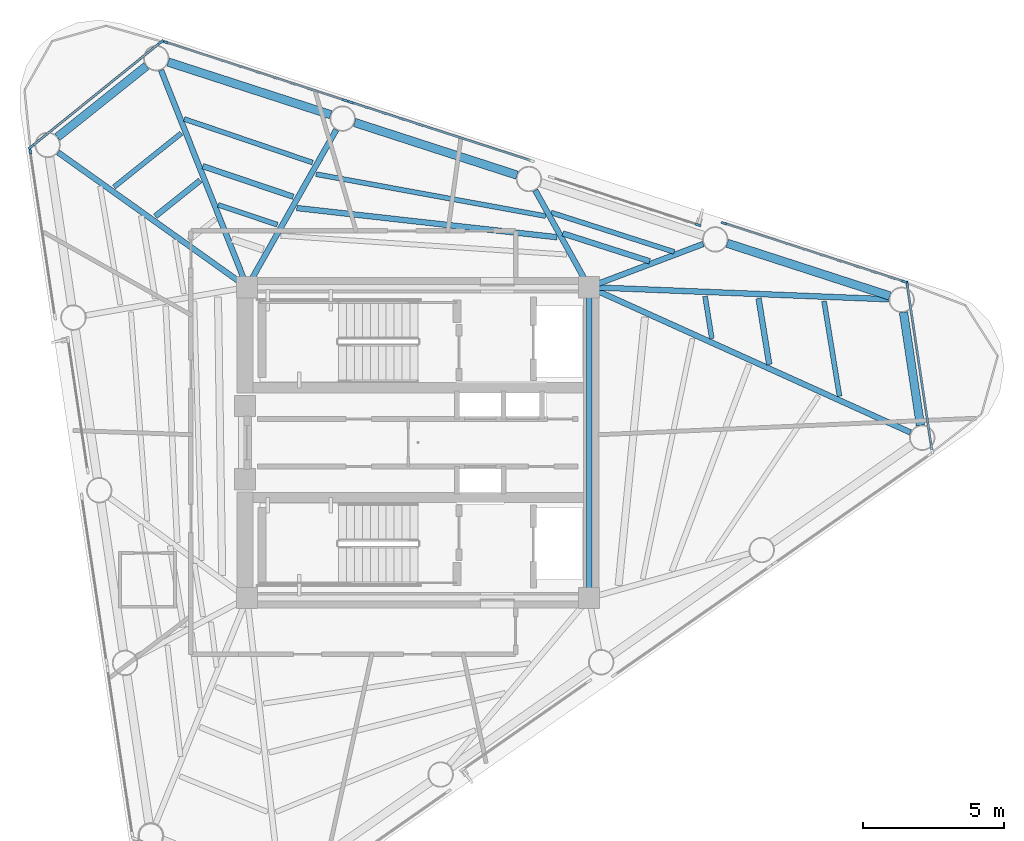
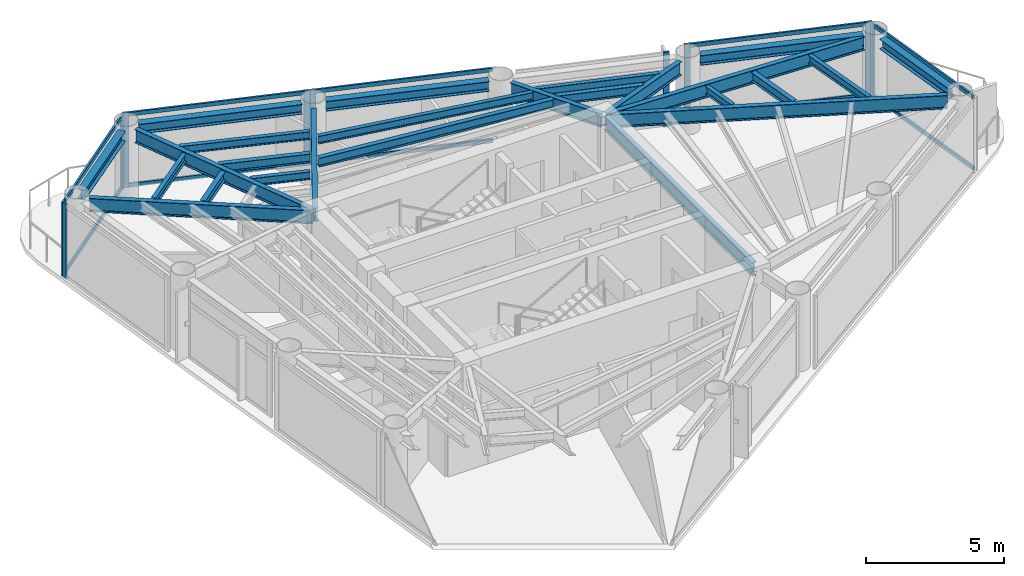
# One storey, part 3 of 9: 25 beams, 20 members, 7 elements without a shape of their own.
"""IFC4 building model written with IfcOpenShell, lengths in metres."""

from ifc_helpers import new_model, si_unit, direction, frame, origin, origin_2d, place, context, subcontext, project, spatial, rectangle, i_section, extrude, source, transform, mapped, material, layer, layer_set, material_profile, profile_set, type_object, element, aggregate, save


model = new_model("IFC4")

# Units and contexts
model_context = context("Model", 3, precision=1e-05, world=origin(), true_north=direction((0.0, 1.0)))
body_context = subcontext(model_context, "Body", "Model", "MODEL_VIEW")
ifc_project = project(units=[si_unit("LENGTHUNIT", "METRE"), si_unit("AREAUNIT", "SQUARE_METRE"), si_unit("VOLUMEUNIT", "CUBIC_METRE"), si_unit("PLANEANGLEUNIT", "RADIAN"), si_unit("MASSUNIT", "GRAM", prefix="KILO")], contexts=[model_context])

# Site, building, storey
site_placement = place(None, origin())
site = spatial("IfcSite", under=ifc_project, at=site_placement, CompositionType="ELEMENT")
building_placement = place(site_placement, origin())
building = spatial("IfcBuilding", under=site, at=building_placement, Name="Yunling Apex Tower", CompositionType="ELEMENT")
storey_placement = place(building_placement, frame((0.0, 0.0, 264.35009765625)))
storey = spatial("IfcBuildingStorey", under=building, at=storey_placement, Name="L64", CompositionType="ELEMENT", Elevation=264.35009765625)

# Beams
ifc_material_1 = material(Name="Steel Q355B", Category="steel")
ifc_material_profile_1 = material_profile(ifc_material_1, i_section(OverallWidth=0.199951171875, OverallDepth=0.60009765625, WebThickness=0.010986328125, FlangeThickness=0.01708984375, FilletRadius=0.02197265625, at=origin_2d()))
ifc_profile_set_1 = profile_set([ifc_material_profile_1], Name="Steel Q355B")
beam_type_1 = type_object("IfcBeamType", Name="BG-PRI-5", PredefinedType="USERDEFINED", material=ifc_profile_set_1)
shared_shape_1 = source(origin(), body_context, "Body", "SweptSolid", [
    extrude(i_section(OverallWidth=0.199951171875, OverallDepth=0.60009765625, WebThickness=0.010986328125, FlangeThickness=0.01708984375, FilletRadius=0.02197265625, at=origin_2d()), origin(), (0.0, 0.0, 1.0), 10.7001953125),
])
beam_1_placement = place(storey_placement, frame((6.050048828125, -5.35009765625, 2.919921875), z_axis=(0.0, 1.0, 0.0), x_axis=(-1.0, 0.0, 0.0)))
element("IfcBeam", 1, at=beam_1_placement, inside=storey, type_object=beam_type_1, Name="L64 Core Ring Tie Beam 2", ObjectType="GIRDER", PredefinedType="USERDEFINED", context=body_context, shape_type="MappedRepresentation", body=[
    mapped(shared_shape_1, transform((0.0, 0.0, 0.0), scale=1.0)),
])
ifc_material_profile_2 = material_profile(ifc_material_1, i_section(OverallWidth=0.300048828125, OverallDepth=0.43994140625, WebThickness=0.010986328125, FlangeThickness=0.01806640625, FilletRadius=0.02197265625, at=origin_2d()))
ifc_profile_set_2 = profile_set([ifc_material_profile_2], Name="Steel Q355B")
beam_type_2 = type_object("IfcBeamType", Name="BP-SPN-3", PredefinedType="SPANDREL", material=ifc_profile_set_2)
shared_shape_2 = source(origin(), body_context, "Body", "SweptSolid", [
    extrude(i_section(OverallWidth=0.300048828125, OverallDepth=0.43994140625, WebThickness=0.010986328125, FlangeThickness=0.01806640625, FilletRadius=0.02197265625, at=origin_2d()), origin(), (0.0, 0.0, 1.0), 6.043701171875),
])
for number, where, z_axis, x_axis, name in (
    (2, (16.687744140625, 5.189208984375, 3.0), (-0.951260618597, 0.308388124782, 0.0), (-0.308388124782, -0.951260618597, 0.0), "L64 Perimeter Spandrel Beam 6"),
    (3, (3.5, 9.464111328125, 3.0), (-0.951264460229, 0.30837627455, 0.0), (-0.30837627455, -0.951264460229, 0.0), "L64 Perimeter Spandrel Beam 8"),
    (4, (-3.093994140625, 11.601806640625, 3.0), (-0.951276309474, 0.308339720167, 0.0), (-0.308339720167, -0.951276309474, 0.0), "L64 Perimeter Spandrel Beam 9"),
):
    element("IfcBeam", number, at=place(storey_placement, frame(where, z_axis=z_axis, x_axis=x_axis)), inside=storey, type_object=beam_type_2, Name=name, PredefinedType="SPANDREL", context=body_context, shape_type="MappedRepresentation", body=[
        mapped(shared_shape_2, transform((0.0, 0.0, 0.0), scale=1.0)),
    ])
shared_shape_3 = source(origin(), body_context, "Body", "SweptSolid", [
    extrude(i_section(OverallWidth=0.300048828125, OverallDepth=0.43994140625, WebThickness=0.010986328125, FlangeThickness=0.01806640625, FilletRadius=0.02197265625, at=origin_2d()), origin(), (0.0, 0.0, 1.0), 4.047607421875),
])
beam_2_placement = place(storey_placement, frame((17.774169921875, 0.610107421875, 3.0), z_axis=(-0.147836074483, 0.98901187813, 0.0), x_axis=(-0.98901187813, -0.147836074483, 0.0)))
element("IfcBeam", 5, at=beam_2_placement, inside=storey, type_object=beam_type_2, Name="L64 Perimeter Spandrel Beam 5", PredefinedType="SPANDREL", context=body_context, shape_type="MappedRepresentation", body=[
    mapped(shared_shape_3, transform((0.0, 0.0, 0.0), scale=1.0)),
])
shared_shape_4 = source(origin(), body_context, "Body", "SweptSolid", [
    extrude(i_section(OverallWidth=0.300048828125, OverallDepth=0.43994140625, WebThickness=0.010986328125, FlangeThickness=0.01806640625, FilletRadius=0.02197265625, at=origin_2d()), origin(), (0.0, 0.0, 1.0), 4.03125),
])
beam_3_placement = place(storey_placement, frame((-9.612548828125, 13.3251953125, 3.0), z_axis=(-0.781412081213, -0.624015351842, 0.0), x_axis=(0.624015351842, -0.781412081213, 0.0)))
element("IfcBeam", 6, at=beam_3_placement, inside=storey, type_object=beam_type_2, Name="L64 Perimeter Spandrel Beam 10", PredefinedType="SPANDREL", context=body_context, shape_type="MappedRepresentation", body=[
    mapped(shared_shape_4, transform((0.0, 0.0, 0.0), scale=1.0)),
])
shared_shape_5 = source(origin(), body_context, "Body", "SweptSolid", [
    extrude(i_section(OverallWidth=0.199951171875, OverallDepth=0.60009765625, WebThickness=0.010986328125, FlangeThickness=0.01708984375, FilletRadius=0.02197265625, at=origin_2d()), origin(), (0.0, 0.0, 1.0), 12.400146484375),
])
beam_4_placement = place(storey_placement, frame((17.42236328125, 0.359619140625, 2.919921875), z_axis=(-0.911237617223, 0.411881056809, 0.0), x_axis=(-0.411881056809, -0.911237617223, 0.0)))
element("IfcBeam", 7, at=beam_4_placement, inside=storey, type_object=beam_type_1, Name="L64 Radial Primary Girder R05", ObjectType="GIRDER", PredefinedType="USERDEFINED", context=body_context, shape_type="MappedRepresentation", body=[
    mapped(shared_shape_5, transform((0.0, 0.0, 0.0), scale=1.0)),
])
shared_shape_6 = source(origin(), body_context, "Body", "SweptSolid", [
    extrude(i_section(OverallWidth=0.199951171875, OverallDepth=0.60009765625, WebThickness=0.010986328125, FlangeThickness=0.01708984375, FilletRadius=0.02197265625, at=origin_2d()), origin(), (0.0, 0.0, 1.0), 10.53125),
])
beam_5_placement = place(storey_placement, frame((16.652587890625, 5.07080078125, 2.919921875), z_axis=(-0.99918143594, 0.040453158992, 0.0), x_axis=(-0.040453158992, -0.99918143594, 0.0)))
element("IfcBeam", 8, at=beam_5_placement, inside=storey, type_object=beam_type_1, Name="L64 Radial Primary Girder R06", ObjectType="GIRDER", PredefinedType="USERDEFINED", context=body_context, shape_type="MappedRepresentation", body=[
    mapped(shared_shape_6, transform((0.0, 0.0, 0.0), scale=1.0)),
])
shared_shape_7 = source(origin(), body_context, "Body", "SweptSolid", [
    extrude(i_section(OverallWidth=0.199951171875, OverallDepth=0.60009765625, WebThickness=0.010986328125, FlangeThickness=0.01708984375, FilletRadius=0.02197265625, at=origin_2d()), origin(), (0.0, 0.0, 1.0), 4.2373046875),
])
beam_6_placement = place(storey_placement, frame((10.087890625, 7.02783203125, 2.919921875), z_axis=(-0.935290380754, -0.353881199938, 0.0), x_axis=(0.353881199938, -0.935290380754, 0.0)))
element("IfcBeam", 9, at=beam_6_placement, inside=storey, type_object=beam_type_1, Name="L64 Radial Primary Girder R07", ObjectType="GIRDER", PredefinedType="USERDEFINED", context=body_context, shape_type="MappedRepresentation", body=[
    mapped(shared_shape_7, transform((0.0, 0.0, 0.0), scale=1.0)),
])
shared_shape_8 = source(origin(), body_context, "Body", "SweptSolid", [
    extrude(i_section(OverallWidth=0.199951171875, OverallDepth=0.60009765625, WebThickness=0.010986328125, FlangeThickness=0.01708984375, FilletRadius=0.02197265625, at=origin_2d()), origin(), (0.0, 0.0, 1.0), 3.841064453125),
])
beam_7_placement = place(storey_placement, frame((4.144775390625, 8.927001953125, 2.919921875), z_axis=(0.485864181632, -0.874034322557, 0.0), x_axis=(0.874034322557, 0.485864181632, 0.0)))
element("IfcBeam", 10, at=beam_7_placement, inside=storey, type_object=beam_type_1, Name="L64 Radial Primary Girder R08", ObjectType="GIRDER", PredefinedType="USERDEFINED", context=body_context, shape_type="MappedRepresentation", body=[
    mapped(shared_shape_8, transform((0.0, 0.0, 0.0), scale=1.0)),
])
shared_shape_9 = source(origin(), body_context, "Body", "SweptSolid", [
    extrude(i_section(OverallWidth=0.199951171875, OverallDepth=0.60009765625, WebThickness=0.010986328125, FlangeThickness=0.01708984375, FilletRadius=0.02197265625, at=origin_2d()), origin(), (0.0, 0.0, 1.0), 6.317138671875),
])
beam_8_placement = place(storey_placement, frame((-2.8974609375, 11.06640625, 2.919921875), z_axis=(-0.492793153417, -0.870146486487, 0.0), x_axis=(0.870146486487, -0.492793153417, 0.0)))
element("IfcBeam", 11, at=beam_8_placement, inside=storey, type_object=beam_type_1, Name="L64 Radial Primary Girder R09", ObjectType="GIRDER", PredefinedType="USERDEFINED", context=body_context, shape_type="MappedRepresentation", body=[
    mapped(shared_shape_9, transform((0.0, 0.0, 0.0), scale=1.0)),
])
shared_shape_10 = source(origin(), body_context, "Body", "SweptSolid", [
    extrude(i_section(OverallWidth=0.199951171875, OverallDepth=0.60009765625, WebThickness=0.010986328125, FlangeThickness=0.01708984375, FilletRadius=0.02197265625, at=origin_2d()), origin(), (0.0, 0.0, 1.0), 8.178955078125),
])
beam_9_placement = place(storey_placement, frame((-9.0966796875, 13.176513671875, 2.919921875), z_axis=(0.368888092437, -0.929473816338, 0.0), x_axis=(0.929473816338, 0.368888092437, 0.0)))
element("IfcBeam", 12, at=beam_9_placement, inside=storey, type_object=beam_type_1, Name="L64 Radial Primary Girder R10", ObjectType="GIRDER", PredefinedType="USERDEFINED", context=body_context, shape_type="MappedRepresentation", body=[
    mapped(shared_shape_10, transform((0.0, 0.0, 0.0), scale=1.0)),
])
shared_shape_11 = source(origin(), body_context, "Body", "SweptSolid", [
    extrude(i_section(OverallWidth=0.199951171875, OverallDepth=0.60009765625, WebThickness=0.010986328125, FlangeThickness=0.01708984375, FilletRadius=0.02197265625, at=origin_2d()), origin(), (0.0, 0.0, 1.0), 8.132080078125),
])
beam_10_placement = place(storey_placement, frame((-12.73681640625, 10.2666015625, 2.919921875), z_axis=(0.814294994921, -0.580451256564, 0.0), x_axis=(0.580451256564, 0.814294994921, 0.0)))
element("IfcBeam", 13, at=beam_10_placement, inside=storey, type_object=beam_type_1, Name="L64 Radial Primary Girder R11", ObjectType="GIRDER", PredefinedType="USERDEFINED", context=body_context, shape_type="MappedRepresentation", body=[
    mapped(shared_shape_11, transform((0.0, 0.0, 0.0), scale=1.0)),
])
ifc_material_profile_3 = material_profile(ifc_material_1, i_section(OverallWidth=0.199951171875, OverallDepth=0.39990234375, WebThickness=0.008056640625, FlangeThickness=0.012939453125, FilletRadius=0.01611328125, at=origin_2d()))
ifc_profile_set_3 = profile_set([ifc_material_profile_3], Name="Steel Q355B")
beam_type_3 = type_object("IfcBeamType", Name="BS-SEC-4", PredefinedType="BEAM", material=ifc_profile_set_3)
shared_shape_12 = source(origin(), body_context, "Body", "SweptSolid", [
    extrude(i_section(OverallWidth=0.199951171875, OverallDepth=0.39990234375, WebThickness=0.008056640625, FlangeThickness=0.012939453125, FilletRadius=0.01611328125, at=origin_2d()), origin(), (0.0, 0.0, 1.0), 2.36572265625),
])
beam_11_placement = place(storey_placement, frame((12.425048828125, 2.764892578125, 3.02001953125), z_axis=(-0.159342756426, 0.987223321227, 0.0), x_axis=(-0.987223321227, -0.159342756426, 0.0)))
element("IfcBeam", 14, at=beam_11_placement, inside=storey, type_object=beam_type_3, Name="L64 Composite Floor Beam BS-5", PredefinedType="BEAM", context=body_context, shape_type="MappedRepresentation", body=[
    mapped(shared_shape_12, transform((0.0, 0.0, 0.0), scale=1.0)),
])
ifc_material_profile_4 = material_profile(ifc_material_1, i_section(OverallWidth=0.175048828125, OverallDepth=0.35009765625, WebThickness=0.007080078125, FlangeThickness=0.010986328125, FilletRadius=0.013916015625, at=origin_2d()))
ifc_profile_set_4 = profile_set([ifc_material_profile_4], Name="Steel Q355B")
beam_type_4 = type_object("IfcBeamType", Name="BJ-JST-1", PredefinedType="JOIST", material=ifc_profile_set_4)
shared_shape_13 = source(origin(), body_context, "Body", "SweptSolid", [
    extrude(i_section(OverallWidth=0.175048828125, OverallDepth=0.35009765625, WebThickness=0.007080078125, FlangeThickness=0.010986328125, FilletRadius=0.013916015625, at=origin_2d()), origin(), (0.0, 0.0, 1.0), 3.40966796875),
])
beam_12_placement = place(storey_placement, frame((14.910888671875, 1.64111328125, 3.044921875), z_axis=(-0.160600982695, 0.987019414377, 0.0), x_axis=(-0.987019414377, -0.160600982695, 0.0)))
element("IfcBeam", 15, at=beam_12_placement, inside=storey, type_object=beam_type_4, Name="L64 Composite Floor Joist BJ1-5", PredefinedType="JOIST", context=body_context, shape_type="MappedRepresentation", body=[
    mapped(shared_shape_13, transform((0.0, 0.0, 0.0), scale=1.0)),
])
shared_shape_14 = source(origin(), body_context, "Body", "SweptSolid", [
    extrude(i_section(OverallWidth=0.175048828125, OverallDepth=0.35009765625, WebThickness=0.007080078125, FlangeThickness=0.010986328125, FilletRadius=0.013916015625, at=origin_2d()), origin(), (0.0, 0.0, 1.0), 1.51171875),
])
beam_13_placement = place(storey_placement, frame((10.3916015625, 3.68408203125, 3.044921875), z_axis=(-0.157297614413, 0.987551244493, 0.0), x_axis=(-0.987551244493, -0.157297614413, 0.0)))
element("IfcBeam", 16, at=beam_13_placement, inside=storey, type_object=beam_type_4, Name="L64 Composite Floor Joist BJ3-5", PredefinedType="JOIST", context=body_context, shape_type="MappedRepresentation", body=[
    mapped(shared_shape_14, transform((0.0, 0.0, 0.0), scale=1.0)),
])
shared_shape_15 = source(origin(), body_context, "Body", "SweptSolid", [
    extrude(i_section(OverallWidth=0.199951171875, OverallDepth=0.39990234375, WebThickness=0.008056640625, FlangeThickness=0.012939453125, FilletRadius=0.01611328125, at=origin_2d()), origin(), (0.0, 0.0, 1.0), 3.22705078125),
])
beam_14_placement = place(storey_placement, frame((8.191650390625, 6.416748046875, 3.02001953125), z_axis=(-0.952339781695, 0.305039243708, 0.0), x_axis=(-0.305039243708, -0.952339781695, 0.0)))
element("IfcBeam", 17, at=beam_14_placement, inside=storey, type_object=beam_type_3, Name="L64 Composite Floor Beam BS-7", PredefinedType="BEAM", context=body_context, shape_type="MappedRepresentation", body=[
    mapped(shared_shape_15, transform((0.0, 0.0, 0.0), scale=1.0)),
])
shared_shape_16 = source(origin(), body_context, "Body", "SweptSolid", [
    extrude(i_section(OverallWidth=0.175048828125, OverallDepth=0.35009765625, WebThickness=0.007080078125, FlangeThickness=0.010986328125, FilletRadius=0.013916015625, at=origin_2d()), origin(), (0.0, 0.0, 1.0), 4.572998046875),
])
beam_15_placement = place(storey_placement, frame((9.0634765625, 6.74658203125, 3.044921875), z_axis=(-0.952472485452, 0.304624628776, 0.0), x_axis=(-0.304624628776, -0.952472485452, 0.0)))
element("IfcBeam", 18, at=beam_15_placement, inside=storey, type_object=beam_type_4, Name="L64 Composite Floor Joist BJ1-7", PredefinedType="JOIST", context=body_context, shape_type="MappedRepresentation", body=[
    mapped(shared_shape_16, transform((0.0, 0.0, 0.0), scale=1.0)),
])
shared_shape_17 = source(origin(), body_context, "Body", "SweptSolid", [
    extrude(i_section(OverallWidth=0.199951171875, OverallDepth=0.39990234375, WebThickness=0.008056640625, FlangeThickness=0.012939453125, FilletRadius=0.01611328125, at=origin_2d()), origin(), (0.0, 0.0, 1.0), 9.271728515625),
])
beam_16_placement = place(storey_placement, frame((4.9189453125, 7.266357421875, 3.02001953125), z_axis=(-0.993765641634, 0.111489234941, 0.0), x_axis=(-0.111489234941, -0.993765641634, 0.0)))
element("IfcBeam", 19, at=beam_16_placement, inside=storey, type_object=beam_type_3, Name="L64 Composite Floor Beam BS-8", PredefinedType="BEAM", context=body_context, shape_type="MappedRepresentation", body=[
    mapped(shared_shape_17, transform((0.0, 0.0, 0.0), scale=1.0)),
])
shared_shape_18 = source(origin(), body_context, "Body", "SweptSolid", [
    extrude(i_section(OverallWidth=0.175048828125, OverallDepth=0.35009765625, WebThickness=0.007080078125, FlangeThickness=0.010986328125, FilletRadius=0.013916015625, at=origin_2d()), origin(), (0.0, 0.0, 1.0), 8.256103515625),
])
beam_17_placement = place(storey_placement, frame((4.510009765625, 8.015625, 3.044921875), z_axis=(-0.983737162393, 0.179614017626, 0.0), x_axis=(-0.179614017626, -0.983737162393, 0.0)))
element("IfcBeam", 20, at=beam_17_placement, inside=storey, type_object=beam_type_4, Name="L64 Composite Floor Joist BJ1-8", PredefinedType="JOIST", context=body_context, shape_type="MappedRepresentation", body=[
    mapped(shared_shape_18, transform((0.0, 0.0, 0.0), scale=1.0)),
])
shared_shape_19 = source(origin(), body_context, "Body", "SweptSolid", [
    extrude(i_section(OverallWidth=0.199951171875, OverallDepth=0.39990234375, WebThickness=0.008056640625, FlangeThickness=0.012939453125, FilletRadius=0.01611328125, at=origin_2d()), origin(), (0.0, 0.0, 1.0), 3.37646484375),
])
beam_18_placement = place(storey_placement, frame((-4.418701171875, 8.698974609375, 3.02001953125), z_axis=(-0.947337172377, 0.320237851966, 0.0), x_axis=(-0.320237851966, -0.947337172377, 0.0)))
element("IfcBeam", 21, at=beam_18_placement, inside=storey, type_object=beam_type_3, Name="L64 Composite Floor Beam BS-9", PredefinedType="BEAM", context=body_context, shape_type="MappedRepresentation", body=[
    mapped(shared_shape_19, transform((0.0, 0.0, 0.0), scale=1.0)),
])
shared_shape_20 = source(origin(), body_context, "Body", "SweptSolid", [
    extrude(i_section(OverallWidth=0.175048828125, OverallDepth=0.35009765625, WebThickness=0.007080078125, FlangeThickness=0.010986328125, FilletRadius=0.013916015625, at=origin_2d()), origin(), (0.0, 0.0, 1.0), 4.802490234375),
])
beam_19_placement = place(storey_placement, frame((-3.73388671875, 9.908447265625, 3.044921875), z_axis=(-0.946894147211, 0.32154544621, 0.0), x_axis=(-0.32154544621, -0.946894147211, 0.0)))
element("IfcBeam", 22, at=beam_19_placement, inside=storey, type_object=beam_type_4, Name="L64 Composite Floor Joist BJ1-9", PredefinedType="JOIST", context=body_context, shape_type="MappedRepresentation", body=[
    mapped(shared_shape_20, transform((0.0, 0.0, 0.0), scale=1.0)),
])
shared_shape_21 = source(origin(), body_context, "Body", "SweptSolid", [
    extrude(i_section(OverallWidth=0.175048828125, OverallDepth=0.35009765625, WebThickness=0.007080078125, FlangeThickness=0.010986328125, FilletRadius=0.013916015625, at=origin_2d()), origin(), (0.0, 0.0, 1.0), 2.209716796875),
])
beam_20_placement = place(storey_placement, frame((-4.979248046875, 7.709228515625, 3.044921875), z_axis=(-0.948029450248, 0.318182591389, 0.0), x_axis=(-0.318182591389, -0.948029450248, 0.0)))
element("IfcBeam", 23, at=beam_20_placement, inside=storey, type_object=beam_type_4, Name="L64 Composite Floor Joist BJ3-9", PredefinedType="JOIST", context=body_context, shape_type="MappedRepresentation", body=[
    mapped(shared_shape_21, transform((0.0, 0.0, 0.0), scale=1.0)),
])
shared_shape_22 = source(origin(), body_context, "Body", "SweptSolid", [
    extrude(i_section(OverallWidth=0.199951171875, OverallDepth=0.39990234375, WebThickness=0.008056640625, FlangeThickness=0.012939453125, FilletRadius=0.01611328125, at=origin_2d()), origin(), (0.0, 0.0, 1.0), 2.032958984375),
])
beam_21_placement = place(storey_placement, frame((-7.712890625, 9.275634765625, 3.02001953125), z_axis=(-0.781161617118, -0.624328862013, 0.0), x_axis=(0.624328862013, -0.781161617118, 0.0)))
element("IfcBeam", 24, at=beam_21_placement, inside=storey, type_object=beam_type_3, Name="L64 Composite Floor Beam BS-10", PredefinedType="BEAM", context=body_context, shape_type="MappedRepresentation", body=[
    mapped(shared_shape_22, transform((0.0, 0.0, 0.0), scale=1.0)),
])
shared_shape_23 = source(origin(), body_context, "Body", "SweptSolid", [
    extrude(i_section(OverallWidth=0.175048828125, OverallDepth=0.35009765625, WebThickness=0.007080078125, FlangeThickness=0.010986328125, FilletRadius=0.013916015625, at=origin_2d()), origin(), (0.0, 0.0, 1.0), 3.048095703125),
])
beam_22_placement = place(storey_placement, frame((-8.376708984375, 10.947998046875, 3.044921875), z_axis=(-0.78115784601, -0.624333580401, 0.0), x_axis=(0.624333580401, -0.78115784601, 0.0)))
element("IfcBeam", 25, at=beam_22_placement, inside=storey, type_object=beam_type_4, Name="L64 Composite Floor Joist BJ1-10", PredefinedType="JOIST", context=body_context, shape_type="MappedRepresentation", body=[
    mapped(shared_shape_23, transform((0.0, 0.0, 0.0), scale=1.0)),
])

# Curtain wall, member
ifc_material_2 = material(Name="Bronze anodised aluminium", Category="aluminium")
ifc_layer = layer(ifc_material_2, 0.219970703125)
ifc_layer_set = layer_set([ifc_layer], Name="Bronze anodised aluminium")
curtain_wall_type = type_object("IfcCurtainWallType", Name="CW-SYS-4", PredefinedType="NOTDEFINED", material=ifc_layer_set)
curtain_wall_1_placement = place(storey_placement, origin())
curtain_wall_1 = element("IfcCurtainWall", 26, at=curtain_wall_1_placement, inside=storey, type_object=curtain_wall_type, Name="CW-L64-CRN1", PredefinedType="NOTDEFINED")
ifc_material_profile_5 = material_profile(ifc_material_2, rectangle(XDim=0.080078125, YDim=0.219970703125, at=origin_2d()))
ifc_profile_set_5 = profile_set([ifc_material_profile_5], Name="Bronze anodised aluminium")
member_type_1 = type_object("IfcMemberType", Name="CW-MUL-4", PredefinedType="MULLION", material=ifc_profile_set_5)
shared_shape_24 = source(origin(), body_context, "Body", "SweptSolid", [
    extrude(rectangle(XDim=0.080078125, YDim=0.219970703125, at=origin_2d()), origin(), (0.0, 0.0, 1.0), 3.320068359375),
])
member_1_placement = place(storey_placement, frame((17.307373046875, 5.6025390625, -0.050048828125), z_axis=(0.0, 0.0, 1.0), x_axis=(-0.989016885218, -0.147802573571, 0.0)))
member_1 = element("IfcMember", 27, at=member_1_placement, type_object=member_type_1, Name="CW-SYS-4 mullion 2", PredefinedType="MULLION", context=body_context, shape_type="MappedRepresentation", body=[
    mapped(shared_shape_24, transform((0.0, 0.0, 0.0), scale=1.0)),
])

# Curtain wall, members
curtain_wall_2_placement = place(storey_placement, origin())
curtain_wall_2 = element("IfcCurtainWall", 28, at=curtain_wall_2_placement, inside=storey, type_object=curtain_wall_type, Name="CW-L64-F2-B1", PredefinedType="NOTDEFINED")
member_2_placement = place(storey_placement, frame((17.193359375, 5.6982421875, -0.050048828125), z_axis=(0.0, 0.0, 1.0), x_axis=(-0.308353381834, -0.951271881173, 0.0)))
member_2 = element("IfcMember", 29, at=member_2_placement, type_object=member_type_1, Name="CW-SYS-4 mullion 1", PredefinedType="MULLION", context=body_context, shape_type="MappedRepresentation", body=[
    mapped(shared_shape_24, transform((0.0, 0.0, 0.0), scale=1.0)),
])
member_3_placement = place(storey_placement, frame((10.82763671875, 7.76171875, -0.050048828125), z_axis=(0.0, 0.0, 1.0), x_axis=(-0.308353381834, -0.951271881173, 0.0)))
member_3 = element("IfcMember", 30, at=member_3_placement, type_object=member_type_1, Name="CW-SYS-4 mullion 2", PredefinedType="MULLION", context=body_context, shape_type="MappedRepresentation", body=[
    mapped(shared_shape_24, transform((0.0, 0.0, 0.0), scale=1.0)),
])

# Curtain wall, member
curtain_wall_3_placement = place(storey_placement, origin())
curtain_wall_3 = element("IfcCurtainWall", 31, at=curtain_wall_3_placement, inside=storey, type_object=curtain_wall_type, Name="CW-L64-F2-B2", PredefinedType="NOTDEFINED")
member_4_placement = place(storey_placement, frame((9.90478515625, 7.703369140625, -0.050048828125), z_axis=(0.0, 0.0, 1.0), x_axis=(-0.30836941685, -0.951266683297, 0.0)))
member_4 = element("IfcMember", 32, at=member_4_placement, type_object=member_type_1, Name="CW-SYS-4 mullion 1", PredefinedType="MULLION", context=body_context, shape_type="MappedRepresentation", body=[
    mapped(shared_shape_24, transform((0.0, 0.0, 0.0), scale=1.0)),
])
aggregate(curtain_wall_3, [member_4])

curtain_wall_4_placement = place(storey_placement, origin())
curtain_wall_4 = element("IfcCurtainWall", 33, at=curtain_wall_4_placement, inside=storey, type_object=curtain_wall_type, Name="CW-L64-F2-B3", PredefinedType="NOTDEFINED")
member_5_placement = place(storey_placement, frame((-2.360107421875, 12.03662109375, -0.050048828125), z_axis=(0.0, 0.0, 1.0), x_axis=(-0.308371076658, -0.95126614524, 0.0)))
member_5 = element("IfcMember", 34, at=member_5_placement, type_object=member_type_1, Name="CW-SYS-4 mullion 2", PredefinedType="MULLION", context=body_context, shape_type="MappedRepresentation", body=[
    mapped(shared_shape_24, transform((0.0, 0.0, 0.0), scale=1.0)),
])

# Curtain wall, members
curtain_wall_5_placement = place(storey_placement, origin())
curtain_wall_5 = element("IfcCurtainWall", 35, at=curtain_wall_5_placement, inside=storey, type_object=curtain_wall_type, Name="CW-L64-F2-B4", PredefinedType="NOTDEFINED")
member_6_placement = place(storey_placement, frame((-2.58837890625, 12.110595703125, -0.050048828125), z_axis=(0.0, 0.0, 1.0), x_axis=(-0.308353381834, -0.951271881173, 0.0)))
member_6 = element("IfcMember", 36, at=member_6_placement, type_object=member_type_1, Name="CW-SYS-4 mullion 1", PredefinedType="MULLION", context=body_context, shape_type="MappedRepresentation", body=[
    mapped(shared_shape_24, transform((0.0, 0.0, 0.0), scale=1.0)),
])
member_7_placement = place(storey_placement, frame((-8.9541015625, 14.174072265625, -0.050048828125), z_axis=(0.0, 0.0, 1.0), x_axis=(-0.308353381834, -0.951271881173, 0.0)))
member_7 = element("IfcMember", 37, at=member_7_placement, type_object=member_type_1, Name="CW-SYS-4 mullion 2", PredefinedType="MULLION", context=body_context, shape_type="MappedRepresentation", body=[
    mapped(shared_shape_24, transform((0.0, 0.0, 0.0), scale=1.0)),
])

curtain_wall_6_placement = place(storey_placement, origin())
curtain_wall_6 = element("IfcCurtainWall", 38, at=curtain_wall_6_placement, inside=storey, type_object=curtain_wall_type, Name="CW-L64-CRN2", PredefinedType="NOTDEFINED")
member_8_placement = place(storey_placement, frame((-9.10546875, 14.1669921875, -0.050048828125), z_axis=(0.0, 0.0, 1.0), x_axis=(0.627988675266, -0.778222477019, 0.0)))
member_8 = element("IfcMember", 39, at=member_8_placement, type_object=member_type_1, Name="CW-SYS-4 mullion 1", PredefinedType="MULLION", context=body_context, shape_type="MappedRepresentation", body=[
    mapped(shared_shape_24, transform((0.0, 0.0, 0.0), scale=1.0)),
])
member_9_placement = place(storey_placement, frame((-13.69189453125, 10.4658203125, -0.050048828125), z_axis=(0.0, 0.0, 1.0), x_axis=(0.627988675266, -0.778222477019, 0.0)))
member_9 = element("IfcMember", 40, at=member_9_placement, type_object=member_type_1, Name="CW-SYS-4 mullion 2", PredefinedType="MULLION", context=body_context, shape_type="MappedRepresentation", body=[
    mapped(shared_shape_24, transform((0.0, 0.0, 0.0), scale=1.0)),
])

# Curtain wall, member
curtain_wall_7_placement = place(storey_placement, origin())
curtain_wall_7 = element("IfcCurtainWall", 41, at=curtain_wall_7_placement, inside=storey, type_object=curtain_wall_type, Name="CW-L64-F3-B1", PredefinedType="NOTDEFINED")
member_10_placement = place(storey_placement, frame((-13.72509765625, 10.3193359375, -0.050048828125), z_axis=(0.0, 0.0, 1.0), x_axis=(0.989016174309, 0.147807330522, 0.0)))
member_10 = element("IfcMember", 42, at=member_10_placement, type_object=member_type_1, Name="CW-SYS-4 mullion 1", PredefinedType="MULLION", context=body_context, shape_type="MappedRepresentation", body=[
    mapped(shared_shape_24, transform((0.0, 0.0, 0.0), scale=1.0)),
])
aggregate(curtain_wall_7, [member_10])

# Member
ifc_material_profile_6 = material_profile(ifc_material_2, rectangle(XDim=0.080078125, YDim=0.169921875, at=origin_2d()))
ifc_profile_set_6 = profile_set([ifc_material_profile_6], Name="Bronze anodised aluminium")
member_type_2 = type_object("IfcMemberType", Name="CW-TRN-4", PredefinedType="USERDEFINED", material=ifc_profile_set_6)
shared_shape_25 = source(origin(), body_context, "Body", "SweptSolid", [
    extrude(rectangle(XDim=0.080078125, YDim=0.169921875, at=origin_2d()), origin(), (0.0, 0.0, 1.0), 6.61962890625),
])
member_11_placement = place(storey_placement, frame((-2.622802734375, 12.121826171875, 0.039794921875), z_axis=(-0.951269317575, 0.308361290437, 0.0), x_axis=(-0.308361290437, -0.951269317575, 0.0)))
member_11 = element("IfcMember", 43, at=member_11_placement, type_object=member_type_2, Name="CW-SYS-4 transom 1.1", ObjectType="TRANSOM", PredefinedType="USERDEFINED", context=body_context, shape_type="MappedRepresentation", body=[
    mapped(shared_shape_25, transform((0.0, 0.0, 0.0), scale=1.0)),
])

member_12_placement = place(storey_placement, frame((-2.622802734375, 12.121826171875, 3.179931640625), z_axis=(-0.951269317575, 0.308361290437, 0.0), x_axis=(-0.308361290437, -0.951269317575, 0.0)))
member_12 = element("IfcMember", 44, at=member_12_placement, type_object=member_type_2, Name="CW-SYS-4 transom 1.2", ObjectType="TRANSOM", PredefinedType="USERDEFINED", context=body_context, shape_type="MappedRepresentation", body=[
    mapped(shared_shape_25, transform((0.0, 0.0, 0.0), scale=1.0)),
])

aggregate(curtain_wall_5, [member_6, member_7, member_11, member_12])

shared_shape_26 = source(origin(), body_context, "Body", "SweptSolid", [
    extrude(rectangle(XDim=0.080078125, YDim=0.169921875, at=origin_2d()), origin(), (0.0, 0.0, 1.0), 6.619873046875),
])
member_13_placement = place(storey_placement, frame((17.1591796875, 5.709228515625, 0.039794921875), z_axis=(-0.951272824274, 0.308350472348, 0.0), x_axis=(-0.308350472348, -0.951272824274, 0.0)))
member_13 = element("IfcMember", 45, at=member_13_placement, type_object=member_type_2, Name="CW-SYS-4 transom 1.1", ObjectType="TRANSOM", PredefinedType="USERDEFINED", context=body_context, shape_type="MappedRepresentation", body=[
    mapped(shared_shape_26, transform((0.0, 0.0, 0.0), scale=1.0)),
])

member_14_placement = place(storey_placement, frame((17.1591796875, 5.709228515625, 3.179931640625), z_axis=(-0.951272824274, 0.308350472348, 0.0), x_axis=(-0.308350472348, -0.951272824274, 0.0)))
member_14 = element("IfcMember", 46, at=member_14_placement, type_object=member_type_2, Name="CW-SYS-4 transom 1.2", ObjectType="TRANSOM", PredefinedType="USERDEFINED", context=body_context, shape_type="MappedRepresentation", body=[
    mapped(shared_shape_26, transform((0.0, 0.0, 0.0), scale=1.0)),
])

aggregate(curtain_wall_2, [member_2, member_3, member_13, member_14])

member_15_placement = place(storey_placement, frame((3.97119140625, 9.984130859375, 0.039794921875), z_axis=(-0.951258498664, 0.308394663895, 0.0), x_axis=(-0.308394663895, -0.951258498664, 0.0)))
member_15 = element("IfcMember", 47, at=member_15_placement, type_object=member_type_2, Name="CW-SYS-4 transom 1.1", ObjectType="TRANSOM", PredefinedType="USERDEFINED", context=body_context, shape_type="MappedRepresentation", body=[
    mapped(shared_shape_26, transform((0.0, 0.0, 0.0), scale=1.0)),
])

member_16_placement = place(storey_placement, frame((3.97119140625, 9.984130859375, 3.179931640625), z_axis=(-0.951258498664, 0.308394663895, 0.0), x_axis=(-0.308394663895, -0.951258498664, 0.0)))
member_16 = element("IfcMember", 48, at=member_16_placement, type_object=member_type_2, Name="CW-SYS-4 transom 1.2", ObjectType="TRANSOM", PredefinedType="USERDEFINED", context=body_context, shape_type="MappedRepresentation", body=[
    mapped(shared_shape_26, transform((0.0, 0.0, 0.0), scale=1.0)),
])

aggregate(curtain_wall_4, [member_5, member_15, member_16])

shared_shape_27 = source(origin(), body_context, "Body", "SweptSolid", [
    extrude(rectangle(XDim=0.080078125, YDim=0.169921875, at=origin_2d()), origin(), (0.0, 0.0, 1.0), 5.89404296875),
])
member_17_placement = place(storey_placement, frame((18.183837890625, -0.26220703125, 0.039794921875), z_axis=(-0.147791520702, 0.989018536939, 0.0), x_axis=(-0.989018536939, -0.147791520702, 0.0)))
member_17 = element("IfcMember", 49, at=member_17_placement, type_object=member_type_2, Name="CW-SYS-4 transom 1.1", ObjectType="TRANSOM", PredefinedType="USERDEFINED", context=body_context, shape_type="MappedRepresentation", body=[
    mapped(shared_shape_27, transform((0.0, 0.0, 0.0), scale=1.0)),
])

member_18_placement = place(storey_placement, frame((18.183837890625, -0.26220703125, 3.179931640625), z_axis=(-0.147791520702, 0.989018536939, 0.0), x_axis=(-0.989018536939, -0.147791520702, 0.0)))
member_18 = element("IfcMember", 50, at=member_18_placement, type_object=member_type_2, Name="CW-SYS-4 transom 1.2", ObjectType="TRANSOM", PredefinedType="USERDEFINED", context=body_context, shape_type="MappedRepresentation", body=[
    mapped(shared_shape_27, transform((0.0, 0.0, 0.0), scale=1.0)),
])

aggregate(curtain_wall_1, [member_1, member_17, member_18])

shared_shape_28 = source(origin(), body_context, "Body", "SweptSolid", [
    extrude(rectangle(XDim=0.080078125, YDim=0.169921875, at=origin_2d()), origin(), (0.0, 0.0, 1.0), 5.8212890625),
])
member_19_placement = place(storey_placement, frame((-9.133544921875, 14.144287109375, 0.039794921875), z_axis=(-0.778218644613, -0.627993424469, 0.0), x_axis=(0.627993424469, -0.778218644613, 0.0)))
member_19 = element("IfcMember", 51, at=member_19_placement, type_object=member_type_2, Name="CW-SYS-4 transom 1.1", ObjectType="TRANSOM", PredefinedType="USERDEFINED", context=body_context, shape_type="MappedRepresentation", body=[
    mapped(shared_shape_28, transform((0.0, 0.0, 0.0), scale=1.0)),
])

member_20_placement = place(storey_placement, frame((-9.133544921875, 14.144287109375, 3.179931640625), z_axis=(-0.778218644613, -0.627993424469, 0.0), x_axis=(0.627993424469, -0.778218644613, 0.0)))
member_20 = element("IfcMember", 52, at=member_20_placement, type_object=member_type_2, Name="CW-SYS-4 transom 1.2", ObjectType="TRANSOM", PredefinedType="USERDEFINED", context=body_context, shape_type="MappedRepresentation", body=[
    mapped(shared_shape_28, transform((0.0, 0.0, 0.0), scale=1.0)),
])

aggregate(curtain_wall_6, [member_8, member_9, member_19, member_20])

save(model, "model.ifc")
